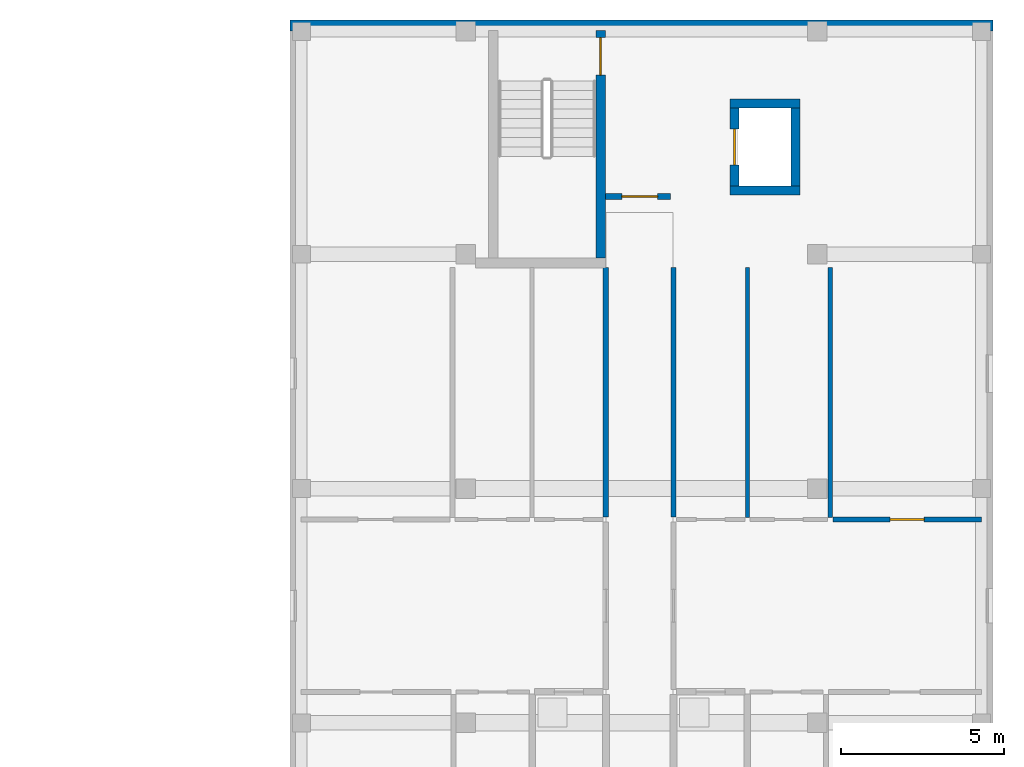
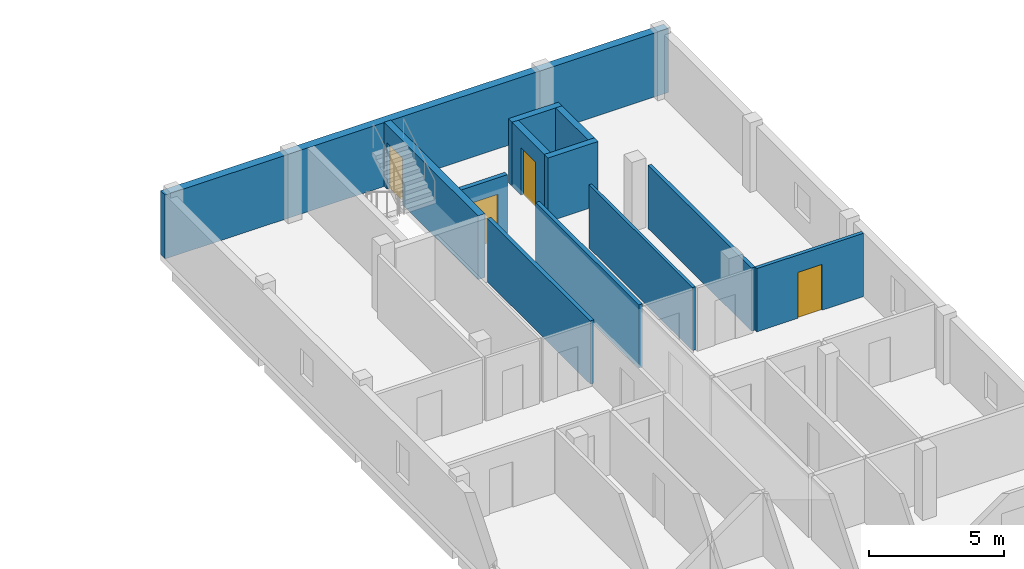
# One storey, part 24 of 38: 12 walls, 4 doors, 4 openings.
"""IFC4 building model written with IfcOpenShell, lengths in metres."""

from ifc_helpers import new_model, si_unit, derived_unit, direction, frame, frame_2d, origin, place, context, subcontext, project, spatial, rectangle, extrude, material, layer, layer_set, type_object, element, fill, save


model = new_model("IFC4")

# Units and contexts
model_context = context("Model", 3, precision=1e-05, world=origin(), true_north=direction((0.0, 1.0)))
body_context = subcontext(model_context, "Body", "Model", "MODEL_VIEW")
ifc_project = project(units=[si_unit("LENGTHUNIT", "METRE"), si_unit("AREAUNIT", "SQUARE_METRE"), si_unit("VOLUMEUNIT", "CUBIC_METRE"), si_unit("PLANEANGLEUNIT", "RADIAN"), si_unit("MASSUNIT", "GRAM", prefix="KILO"), derived_unit("THERMALTRANSMITTANCEUNIT", [(si_unit("MASSUNIT", "GRAM", prefix="KILO"), 1), (si_unit("TIMEUNIT", "SECOND"), -3), (si_unit("THERMODYNAMICTEMPERATUREUNIT", "KELVIN"), -1)])], contexts=[model_context])

# Site, building, storey
site_placement = place(None, origin())
site = spatial("IfcSite", under=ifc_project, at=site_placement, CompositionType="ELEMENT")
building_placement = place(site_placement, origin())
building = spatial("IfcBuilding", under=site, at=building_placement, Name="Ochrekiln Boulevard Commons", CompositionType="ELEMENT")
storey_placement = place(building_placement, frame((0.0, 0.0, 24.675048828125)))
storey = spatial("IfcBuildingStorey", under=building, at=storey_placement, Name="L07", CompositionType="ELEMENT", Elevation=24.675048828125)

# Walls
ifc_material_1 = material(Name="Iron-spot brown clinker brick masonry ASTM C216 Grade SW", Category="masonry")
ifc_layer_1 = layer(ifc_material_1, 0.340087890625)
ifc_layer_set_1 = layer_set([ifc_layer_1], Name="Iron-spot brown clinker brick masonry ASTM C216 Grade SW")
wall_type_1 = type_object("IfcWallType", Name="WL-EXT-IRON-340", PredefinedType="SOLIDWALL", material=ifc_layer_set_1)
wall_1_placement = place(storey_placement, frame((151.199951171875, 118.6298828125, 0.0), z_axis=(0.0, 0.0, 1.0), x_axis=(1.0, 0.0, 0.0)))
element("IfcWall", 1, at=wall_1_placement, inside=storey, type_object=wall_type_1, Name="Block B L07 N Exterior Wall", PredefinedType="SOLIDWALL", context=body_context, shape_type="SweptSolid", body=[
    extrude(rectangle(XDim=21.60009765625, YDim=0.340087890625, at=frame_2d((10.800048828125, 0.0))), origin(), (0.0, 0.0, 1.0), 2.89990234375),
])
ifc_material_2 = material(Name="Fire-rated Type X gypsum board on steel studs", Category="steel")
ifc_layer_2 = layer(ifc_material_2, 0.1650390625)
ifc_layer_set_2 = layer_set([ifc_layer_2], Name="Fire-rated Type X gypsum board on steel studs")
wall_type_2 = type_object("IfcWallType", Name="WL-PT-CORR-165", PredefinedType="PARTITIONING", material=ifc_layer_set_2)
for number, where, z_axis, x_axis, name in (
    (2, (160.909912109375, 103.530029296875, 0.0), (0.0, 0.0, 1.0), (0.0, 1.0, 0.0), "L07 Interior Wall W-PC165"),
    (3, (162.989990234375, 103.530029296875, 0.0), (0.0, 0.0, 1.0), (0.0, 1.0, 0.0), "L07 Interior Wall W-PC165"),
):
    element("IfcWall", number, at=place(storey_placement, frame(where, z_axis=z_axis, x_axis=x_axis)), inside=storey, type_object=wall_type_2, Name=name, PredefinedType="PARTITIONING", context=body_context, shape_type="SweptSolid", body=[
        extrude(rectangle(XDim=7.669921875, YDim=0.1650390625, at=frame_2d((3.8349609375, 0.0))), origin(), (0.0, 0.0, 1.0), 2.869873046875),
    ])

# Wall, opening, door
ifc_layer_3 = layer(ifc_material_2, 0.18994140625)
ifc_layer_set_3 = layer_set([ifc_layer_3], Name="Fire-rated Type X gypsum board on steel studs")
wall_type_3 = type_object("IfcWallType", Name="WL-PT-LBY-190", PredefinedType="PARTITIONING", material=ifc_layer_set_3)
wall_2_placement = place(storey_placement, frame((160.89990234375, 113.3798828125, 0.0), z_axis=(0.0, 0.0, 1.0), x_axis=(1.0, 0.0, 0.0)))
wall_2 = element("IfcWall", 4, at=wall_2_placement, inside=storey, type_object=wall_type_3, Name="L07 Interior Wall W-PL190", PredefinedType="PARTITIONING", context=body_context, shape_type="SweptSolid", body=[
    extrude(rectangle(XDim=2.0, YDim=0.18994140625, at=frame_2d((1.0, 0.0))), origin(), (0.0, 0.0, 1.0), 2.869873046875),
])
opening_1_placement = place(wall_2_placement, frame((0.5, 0.0, 0.0)))
opening_1 = element("IfcOpeningElement", 5, at=opening_1_placement, cuts=wall_2, Name="Opening D-L07-926", PredefinedType="OPENING", context=body_context, shape_type="SweptSolid", body=[
    extrude(rectangle(XDim=1.10009765625, YDim=2.1201171875, at=frame_2d((0.550048828125, 1.06005859375))), frame((0.0, 0.10498046875, 0.0), z_axis=(0.0, -1.0, 0.0), x_axis=(1.0, 0.0, 0.0)), (0.0, 0.0, 1.0), 0.2099609375),
])
ifc_material_3 = material(Name="Hollow metal fire-rated steel door assembly", Category="steel")
door_type_1 = type_object("IfcDoorType", Name="DR-LOBBY-60", OperationType="NOTDEFINED", PredefinedType="DOOR", material=ifc_material_3)
door_1_placement = place(opening_1_placement, origin())
door_1 = element("IfcDoor", 6, at=door_1_placement, inside=storey, type_object=door_type_1, Name="L07 Interior Door to Fire Service Access Elevator Lobby", OperationType="SINGLE_SWING_RIGHT", OverallHeight=2.1201171875, OverallWidth=1.10009765625, PredefinedType="DOOR", context=body_context, shape_type="SweptSolid", body=[
    extrude(rectangle(XDim=1.10009765625, YDim=2.1201171875, at=frame_2d((0.550048828125, 1.06005859375))), frame((0.0, 0.02490234375, 0.0), z_axis=(0.0, -1.0, 0.0), x_axis=(1.0, 0.0, 0.0)), (0.0, 0.0, 1.0), 0.050048828125),
])
fill(opening_1, door_1)

# Wall
ifc_layer_4 = layer(ifc_material_2, 0.1201171875)
ifc_layer_set_4 = layer_set([ifc_layer_4], Name="Fire-rated Type X gypsum board on steel studs")
wall_type_4 = type_object("IfcWallType", Name="WL-PT-LGT-120", PredefinedType="PARTITIONING", material=ifc_layer_set_4)
wall_3_placement = place(storey_placement, frame((165.260009765625, 103.510009765625, 0.0), z_axis=(0.0, 0.0, 1.0), x_axis=(0.0, 1.0, 0.0)))
element("IfcWall", 7, at=wall_3_placement, inside=storey, type_object=wall_type_4, Name="L07 Interior Wall W-PL120", PredefinedType="PARTITIONING", context=body_context, shape_type="SweptSolid", body=[
    extrude(rectangle(XDim=7.68994140625, YDim=0.1201171875, at=frame_2d((3.844970703125, 0.0))), origin(), (0.0, 0.0, 1.0), 2.869873046875),
])

# Wall, opening, door
ifc_layer_5 = layer(ifc_material_2, 0.14990234375)
ifc_layer_set_5 = layer_set([ifc_layer_5], Name="Fire-rated Type X gypsum board on steel studs")
wall_type_5 = type_object("IfcWallType", Name="WL-PT-STD-150", PredefinedType="PARTITIONING", material=ifc_layer_set_5)
wall_4_placement = place(storey_placement, frame((167.886962890625, 103.449951171875, 0.0), z_axis=(0.0, 0.0, 1.0), x_axis=(1.0, 0.0, 0.0)))
wall_4 = element("IfcWall", 8, at=wall_4_placement, inside=storey, type_object=wall_type_5, Name="L07 Interior Wall W-PS150", PredefinedType="PARTITIONING", context=body_context, shape_type="SweptSolid", body=[
    extrude(rectangle(XDim=4.572998046875, YDim=0.14990234375, at=frame_2d((2.28662109375, 0.0))), origin(), (0.0, 0.0, 1.0), 2.869873046875),
])
opening_2_placement = place(wall_4_placement, frame((1.760986328125, 0.0, 0.0)))
opening_2 = element("IfcOpeningElement", 9, at=opening_2_placement, cuts=wall_4, Name="Opening D-L07-951", PredefinedType="OPENING", context=body_context, shape_type="SweptSolid", body=[
    extrude(rectangle(XDim=1.0400390625, YDim=2.080078125, at=frame_2d((0.52001953125, 1.0400390625))), frame((0.0, 0.0849609375, 0.0), z_axis=(0.0, -1.0, 0.0), x_axis=(1.0, 0.0, 0.0)), (0.0, 0.0, 1.0), 0.169921875),
])
ifc_material_4 = material(Name="Solid core architectural oak door leaf")
door_type_2 = type_object("IfcDoorType", Name="DR-INT-BED-104", OperationType="NOTDEFINED", PredefinedType="DOOR", material=ifc_material_4)
door_2_placement = place(opening_2_placement, origin())
door_2 = element("IfcDoor", 10, at=door_2_placement, inside=storey, type_object=door_type_2, Name="L07 Interior Door to Secondary Apartment Bedroom", OperationType="SINGLE_SWING_LEFT", OverallHeight=2.080078125, OverallWidth=1.0400390625, PredefinedType="DOOR", context=body_context, shape_type="SweptSolid", body=[
    extrude(rectangle(XDim=1.0400390625, YDim=2.080078125, at=frame_2d((0.52001953125, 1.0400390625))), frame((0.0, 0.02490234375, 0.0), z_axis=(0.0, -1.0, 0.0), x_axis=(1.0, 0.0, 0.0)), (0.0, 0.0, 1.0), 0.050048828125),
])
fill(opening_2, door_2)

# Walls
wall_5_placement = place(storey_placement, frame((167.806884765625, 103.510009765625, 0.0), z_axis=(0.0, 0.0, 1.0), x_axis=(0.0, 1.0, 0.0)))
element("IfcWall", 11, at=wall_5_placement, inside=storey, type_object=wall_type_5, Name="L07 Interior Wall W-PS150", PredefinedType="PARTITIONING", context=body_context, shape_type="SweptSolid", body=[
    extrude(rectangle(XDim=7.68994140625, YDim=0.14990234375, at=frame_2d((3.844970703125, 0.0))), origin(), (0.0, 0.0, 1.0), 2.869873046875),
])
ifc_material_5 = material(Name="Concrete C40/50", Category="concrete")
ifc_layer_6 = layer(ifc_material_5, 0.27490234375)
ifc_layer_set_6 = layer_set([ifc_layer_6], Name="Concrete C40/50")
wall_type_6 = type_object("IfcWallType", Name="WL-SH-275", PredefinedType="SHEAR", material=ifc_layer_set_6)
for number, where, z_axis, x_axis, name in (
    (12, (164.72509765625, 113.5625, 0.0), (0.0, 0.0, 1.0), (1.0, 0.0, 0.0), "Elevator FF-B2 L07 Hoistway Shear Wall"),
    (13, (164.72509765625, 116.237548828125, 0.0), (0.0, 0.0, 1.0), (1.0, 0.0, 0.0), "Elevator FF-B2 L07 Hoistway Shear Wall"),
):
    element("IfcWall", number, at=place(storey_placement, frame(where, z_axis=z_axis, x_axis=x_axis)), inside=storey, type_object=wall_type_6, Name=name, PredefinedType="SHEAR", context=body_context, shape_type="SweptSolid", body=[
        extrude(rectangle(XDim=2.14990234375, YDim=0.27490234375, at=frame_2d((1.074951171875, 0.0))), origin(), (0.0, 0.0, 1.0), 2.89990234375),
    ])

# Wall, opening, door
wall_6_placement = place(storey_placement, frame((164.862548828125, 113.699951171875, 0.0), z_axis=(0.0, 0.0, 1.0), x_axis=(0.0, 1.0, 0.0)))
wall_6 = element("IfcWall", 14, at=wall_6_placement, inside=storey, type_object=wall_type_6, Name="Elevator FF-B2 L07 Hoistway Shear Wall", PredefinedType="SHEAR", context=body_context, shape_type="SweptSolid", body=[
    extrude(rectangle(XDim=2.400146484375, YDim=0.27490234375, at=frame_2d((1.2001953125, 0.0))), origin(), (0.0, 0.0, 1.0), 2.89990234375),
])
opening_3_placement = place(wall_6_placement, frame((0.64990234375, 0.0, 0.0)))
opening_3 = element("IfcOpeningElement", 15, at=opening_3_placement, cuts=wall_6, Name="Opening LD-FF-B2-L07", PredefinedType="OPENING", context=body_context, shape_type="SweptSolid", body=[
    extrude(rectangle(XDim=1.10009765625, YDim=2.14990234375, at=frame_2d((0.550048828125, 1.074951171875))), frame((0.0, 0.1474609375, 0.0), z_axis=(0.0, -1.0, 0.0), x_axis=(1.0, 0.0, 0.0)), (0.0, 0.0, 1.0), 0.294921875),
])
ifc_material_6 = material(Name="Brushed stainless steel 316 elevator cab and doors", Category="steel")
door_type_3 = type_object("IfcDoorType", Name="DR-LIFT-LD90", OperationType="SLIDING_TO_LEFT", PredefinedType="DOOR", material=ifc_material_6)
door_3_placement = place(opening_3_placement, origin())
door_3 = element("IfcDoor", 16, at=door_3_placement, inside=storey, type_object=door_type_3, Name="Elevator FF-B2 L07 Sliding Landing Door LD-FF-B2-L07", OperationType="SLIDING_TO_LEFT", OverallHeight=2.14990234375, OverallWidth=1.10009765625, PredefinedType="DOOR", context=body_context, shape_type="SweptSolid", body=[
    extrude(rectangle(XDim=1.10009765625, YDim=2.14990234375, at=frame_2d((0.550048828125, 1.074951171875))), frame((0.0, 0.02490234375, 0.0), z_axis=(0.0, -1.0, 0.0), x_axis=(1.0, 0.0, 0.0)), (0.0, 0.0, 1.0), 0.050048828125),
])
fill(opening_3, door_3)

# Wall
wall_7_placement = place(storey_placement, frame((166.737548828125, 113.699951171875, 0.0), z_axis=(0.0, 0.0, 1.0), x_axis=(0.0, 1.0, 0.0)))
element("IfcWall", 17, at=wall_7_placement, inside=storey, type_object=wall_type_6, Name="Elevator FF-B2 L07 Hoistway Shear Wall", PredefinedType="SHEAR", context=body_context, shape_type="SweptSolid", body=[
    extrude(rectangle(XDim=2.400146484375, YDim=0.27490234375, at=frame_2d((1.2001953125, 0.0))), origin(), (0.0, 0.0, 1.0), 2.89990234375),
])

# Wall, opening, door
ifc_layer_7 = layer(ifc_material_5, 0.300048828125)
ifc_layer_set_7 = layer_set([ifc_layer_7], Name="Concrete C40/50")
wall_type_7 = type_object("IfcWallType", Name="WL-SH-300", PredefinedType="SHEAR", material=ifc_layer_set_7)
wall_8_placement = place(storey_placement, frame((160.75, 111.47998046875, 0.0), z_axis=(0.0, 0.0, 1.0), x_axis=(0.0, 1.0, 0.0)))
wall_8 = element("IfcWall", 18, at=wall_8_placement, inside=storey, type_object=wall_type_7, Name="Stair ST-B2 L07 Core Shear Wall E", PredefinedType="SHEAR", context=body_context, shape_type="SweptSolid", body=[
    extrude(rectangle(XDim=7.0, YDim=0.300048828125, at=frame_2d((3.5, 0.0))), origin(), (0.0, 0.0, 1.0), 2.89990234375),
])
opening_4_placement = place(wall_8_placement, frame((5.625, 0.0, 0.0)))
opening_4 = element("IfcOpeningElement", 19, at=opening_4_placement, cuts=wall_8, Name="Opening D-L07-ST-B2", PredefinedType="OPENING", context=body_context, shape_type="SweptSolid", body=[
    extrude(rectangle(XDim=1.14990234375, YDim=2.1201171875, at=frame_2d((0.574951171875, 1.06005859375))), frame((0.0, 0.159912109375, 0.0), z_axis=(0.0, -1.0, 0.0), x_axis=(1.0, 0.0, 0.0)), (0.0, 0.0, 1.0), 0.320068359375),
])
door_type_4 = type_object("IfcDoorType", Name="DR-STAIR-90", OperationType="NOTDEFINED", PredefinedType="DOOR", material=ifc_material_3)
door_4_placement = place(opening_4_placement, origin())
door_4 = element("IfcDoor", 20, at=door_4_placement, inside=storey, type_object=door_type_4, Name="Enclosed Exit Stair ST-B2 L07 Rated Door", OperationType="SINGLE_SWING_LEFT", OverallHeight=2.1201171875, OverallWidth=1.14990234375, PredefinedType="DOOR", context=body_context, shape_type="SweptSolid", body=[
    extrude(rectangle(XDim=1.14990234375, YDim=2.1201171875, at=frame_2d((0.574951171875, 1.06005859375))), frame((0.0, 0.02490234375, 0.0), z_axis=(0.0, -1.0, 0.0), x_axis=(1.0, 0.0, 0.0)), (0.0, 0.0, 1.0), 0.050048828125),
])
fill(opening_4, door_4)

save(model, "model.ifc")
